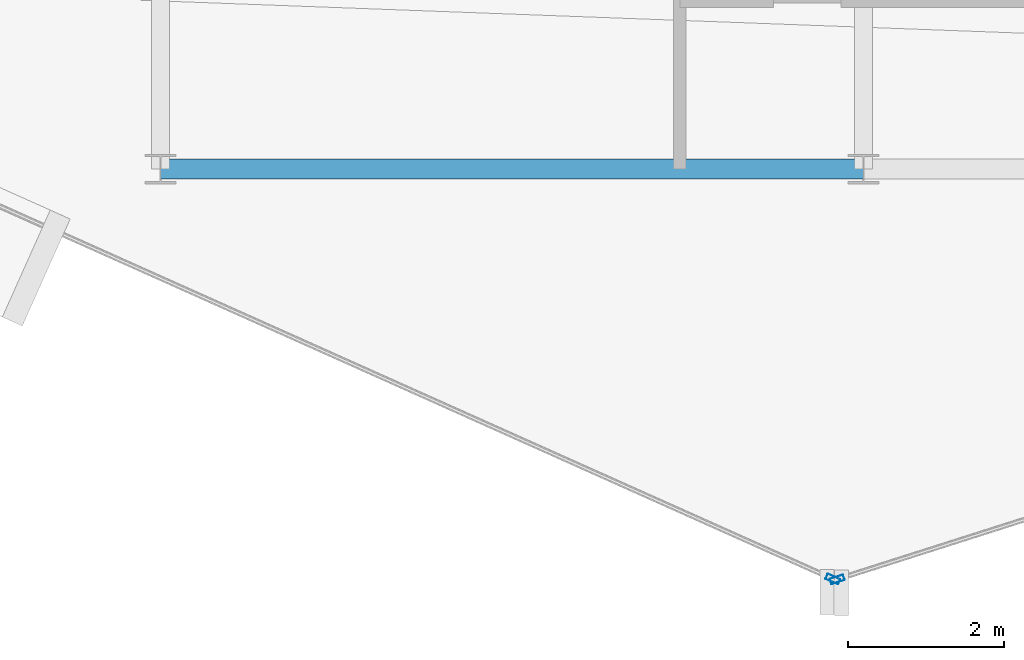
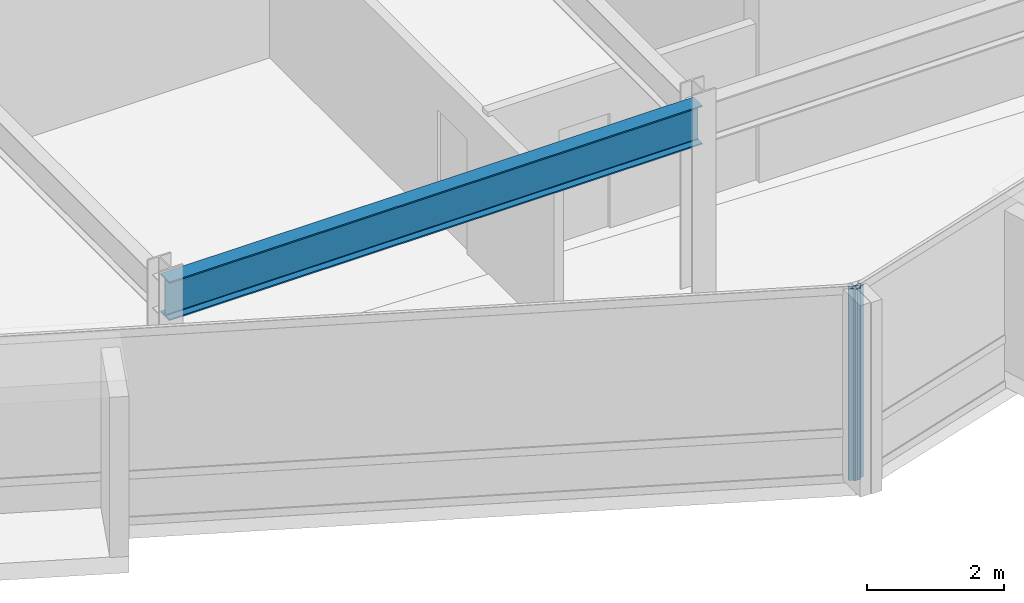
# One storey, part 4 of 19: 2 members, 1 beam, 2 elements without a shape of their own.
"""IFC4 building model written with IfcOpenShell, lengths in metres."""

from ifc_helpers import new_model, si_unit, direction, frame, origin, origin_2d, place, context, subcontext, project, spatial, hollow_rectangle, i_section, extrude, material, layer, layer_set, material_profile, profile_set, type_object, element, aggregate, save


model = new_model("IFC4")

# Units and contexts
model_context = context("Model", 3, precision=1e-05, world=origin(), true_north=direction((0.0, 1.0)))
body_context = subcontext(model_context, "Body", "Model", "MODEL_VIEW")
ifc_project = project(units=[si_unit("LENGTHUNIT", "METRE"), si_unit("AREAUNIT", "SQUARE_METRE"), si_unit("VOLUMEUNIT", "CUBIC_METRE"), si_unit("PLANEANGLEUNIT", "RADIAN"), si_unit("MASSUNIT", "GRAM", prefix="KILO")], contexts=[model_context])

# Site, building, storey
site_placement = place(None, origin())
site = spatial("IfcSite", under=ifc_project, at=site_placement, CompositionType="ELEMENT")
building_placement = place(site_placement, origin())
building = spatial("IfcBuilding", under=site, at=building_placement, Name="Solvaryn Broadcast Tower", CompositionType="ELEMENT")
storey_placement = place(building_placement, frame((0.0, 0.0, 270.39990234375)))
storey = spatial("IfcBuildingStorey", under=building, at=storey_placement, Name="L68", CompositionType="ELEMENT", Elevation=270.39990234375)

# Beam
ifc_material_1 = material(Name="Steel ASTM A992 Grade 50", Category="steel")
ifc_material_profile_1 = material_profile(ifc_material_1, i_section(OverallWidth=0.256103515625, OverallDepth=0.693115234375, WebThickness=0.014404296875, FlangeThickness=0.023681640625, FilletRadius=0.01611328125, at=origin_2d()))
ifc_profile_set_1 = profile_set([ifc_material_profile_1], Name="Steel ASTM A992 Grade 50")
beam_type = type_object("IfcBeamType", Name="BM-SP3-W27X114", PredefinedType="USERDEFINED", material=ifc_profile_set_1)
beam_placement = place(storey_placement, frame((18.0, 9.0, 3.073486328125), z_axis=(1.0, 0.0, 0.0), x_axis=(0.0, 1.0, 0.0)))
element("IfcBeam", 1, at=beam_placement, inside=storey, type_object=beam_type, Name="L68 Spandrel Beam X (18-27 @ Y=9)", ObjectType="SPANDREL", PredefinedType="USERDEFINED", context=body_context, shape_type="SweptSolid", body=[
    extrude(i_section(OverallWidth=0.256103515625, OverallDepth=0.693115234375, WebThickness=0.014404296875, FlangeThickness=0.023681640625, FilletRadius=0.01611328125, at=origin_2d()), origin(), (0.0, 0.0, 1.0), 9.0),
])

# Curtain wall, member
ifc_material_2 = material(Name="Aluminium and Terracotta Unitised Curtain Wall", Category="masonry")
ifc_layer = layer(ifc_material_2, 0.199951171875)
ifc_layer_set = layer_set([ifc_layer], Name="CW-SYS2-LOWMID")
curtain_wall_type = type_object("IfcCurtainWallType", Name="CW-SYS2-LOWMID", PredefinedType="NOTDEFINED", material=ifc_layer_set)
curtain_wall_1_placement = place(storey_placement, origin())
curtain_wall_1 = element("IfcCurtainWall", 2, at=curtain_wall_1_placement, inside=storey, type_object=curtain_wall_type, Name="L68 Curtain Wall DR3", PredefinedType="NOTDEFINED")
ifc_material_3 = material(Name="Anodised Aluminium 6063-T6", Category="aluminium")
ifc_material_profile_2 = material_profile(ifc_material_3, hollow_rectangle(XDim=0.074951171875, YDim=0.179931640625, WallThickness=0.00390625, InnerFilletRadius=0.00390625, OuterFilletRadius=0.008056640625, at=origin_2d()))
ifc_profile_set_2 = profile_set([ifc_material_profile_2], Name="Anodised Aluminium 6063-T6")
member_type = type_object("IfcMemberType", Name="CW-MUL-180", PredefinedType="MULLION", material=ifc_profile_set_2)
member_1_placement = place(storey_placement, frame((26.608642578125, 3.750244140625, 0.0), z_axis=(0.0, 0.0, 1.0), x_axis=(0.408466010682, 0.912773530574, 0.0)))
member_1 = element("IfcMember", 3, at=member_1_placement, type_object=member_type, Name="CWS2 mullion 2", PredefinedType="MULLION", context=body_context, shape_type="SweptSolid", body=[
    extrude(hollow_rectangle(XDim=0.074951171875, YDim=0.179931640625, WallThickness=0.00390625, InnerFilletRadius=0.00390625, OuterFilletRadius=0.008056640625, at=origin_2d()), origin(), (0.0, 0.0, 1.0), 3.420166015625),
])
aggregate(curtain_wall_1, [member_1])

curtain_wall_2_placement = place(storey_placement, origin())
curtain_wall_2 = element("IfcCurtainWall", 4, at=curtain_wall_2_placement, inside=storey, type_object=curtain_wall_type, Name="L68 Curtain Wall DR4", PredefinedType="NOTDEFINED")
member_2_placement = place(storey_placement, frame((26.66455078125, 3.7470703125, 0.0), z_axis=(0.0, 0.0, 1.0), x_axis=(-0.30361564569, 0.952794594701, 0.0)))
member_2 = element("IfcMember", 5, at=member_2_placement, type_object=member_type, Name="CWS2 mullion 1", PredefinedType="MULLION", context=body_context, shape_type="SweptSolid", body=[
    extrude(hollow_rectangle(XDim=0.074951171875, YDim=0.179931640625, WallThickness=0.00390625, InnerFilletRadius=0.00390625, OuterFilletRadius=0.008056640625, at=origin_2d()), origin(), (0.0, 0.0, 1.0), 3.420166015625),
])
aggregate(curtain_wall_2, [member_2])

save(model, "model.ifc")
